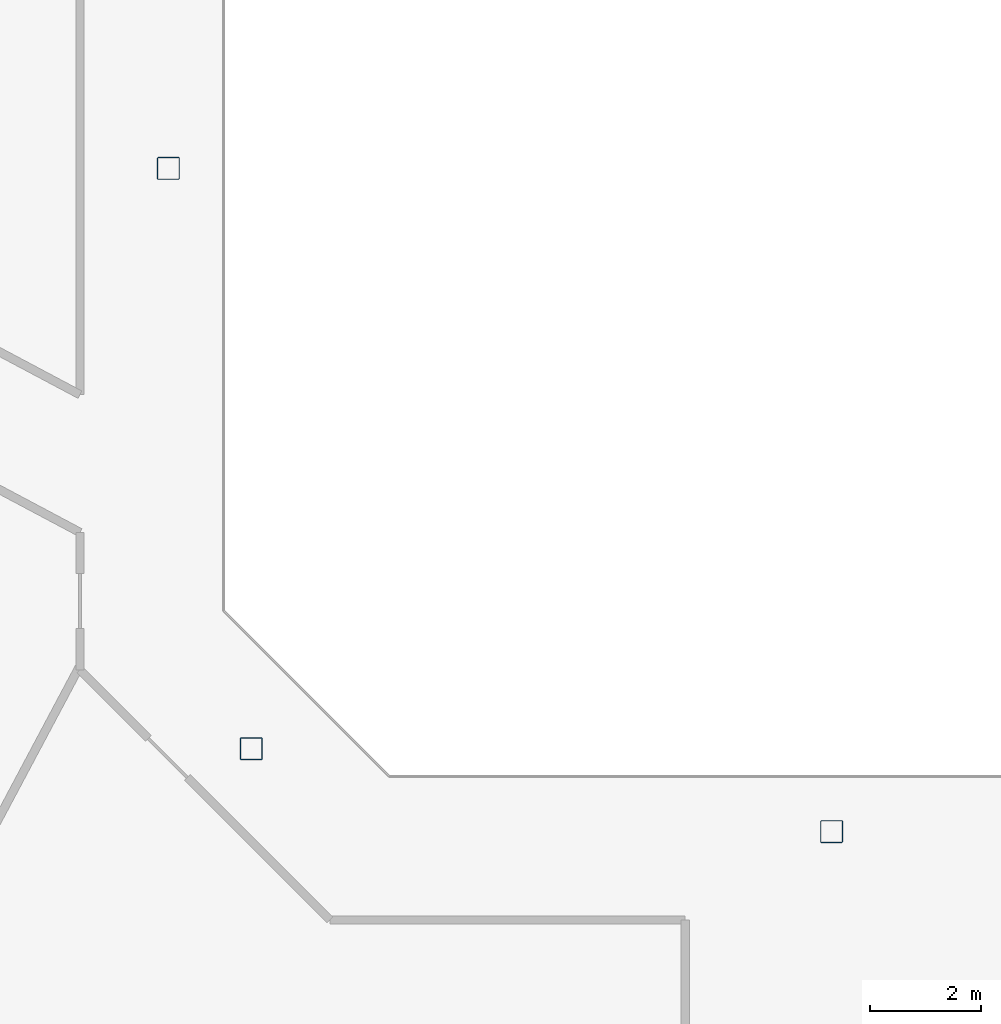
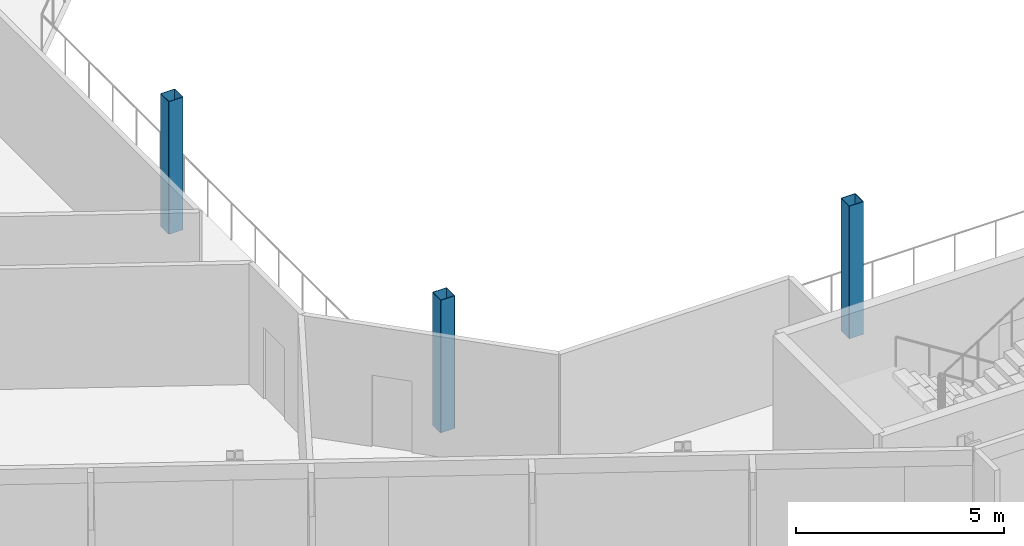
# One storey, part 2 of 27: 3 columns.
"""IFC4 building model written with IfcOpenShell, lengths in metres."""

import ifcopenshell
import ifcopenshell.guid

model = None  # the IFC model being written
_history = None  # IfcOwnerHistory: only IFC2X3 demands one
_inside = {}  # id of a spatial element -> (the spatial element, [elements in it])
_under = {}  # id of a project, library or spatial element -> (it, [spatial elements below it])
_declared = {}  # id of a project -> (the project, [libraries it declares])
_typed = {}  # id of a type object -> (the type object, [elements of that type])
_made_of = {}  # id of a material, layer set ... -> (it, [elements and type objects made of it])


def new_model(schema):
    """Start an empty IFC model of exactly this schema.

    Asked for "IFC4X3", IfcOpenShell would pick the latest addendum, in which some entities
    have other attributes; the version numbers below select the first issue.
    IFC2X3 requires an IfcOwnerHistory on every rooted entity: one is made here for all.
    """
    global model, _history
    if schema == "IFC4X3":
        model = ifcopenshell.file(schema_version=(4, 3, 0, 0))
    else:
        model = ifcopenshell.file(schema=schema)
    _inside.clear()
    _under.clear()
    _declared.clear()
    _typed.clear()
    _made_of.clear()
    _history = None
    if model.schema == "IFC2X3":
        org = make("IfcOrganization", Name="unknown")
        user = make(
            "IfcPersonAndOrganization",
            ThePerson=make("IfcPerson", FamilyName="unknown"),
            TheOrganization=org,
        )
        app = make(
            "IfcApplication",
            ApplicationDeveloper=org,
            Version="unknown",
            ApplicationFullName="unknown",
            ApplicationIdentifier="unknown",
        )
        _history = make(
            "IfcOwnerHistory",
            OwningUser=user,
            OwningApplication=app,
            ChangeAction="ADDED",
            CreationDate=0,
        )
    return model


def make(cls, **values):
    """One entity of the class cls with the attributes given. An attribute that is None is left unset."""
    return model.create_entity(
        cls, **{name: value for name, value in values.items() if value is not None}
    )


def rooted(cls, **values):
    """An entity with a GlobalId (a new one), such as an element, a storey or a relation."""
    return make(cls, GlobalId=ifcopenshell.guid.new(), OwnerHistory=_history, **values)


def si_unit(unit_type, name, prefix=None):
    """IfcSIUnit, for example si_unit("LENGTHUNIT", "METRE", prefix="MILLI")."""
    return make("IfcSIUnit", UnitType=unit_type, Prefix=prefix, Name=name)


def assignment(units):
    """IfcUnitAssignment: the units of a project."""
    return None if units is None else make("IfcUnitAssignment", Units=units)


def point(xyz):
    """IfcCartesianPoint."""
    return None if xyz is None else make("IfcCartesianPoint", Coordinates=xyz)


def direction(xyz):
    """IfcDirection."""
    return None if xyz is None else make("IfcDirection", DirectionRatios=xyz)


def frame(location, z_axis=None, x_axis=None):
    """IfcAxis2Placement3D, a coordinate frame: its origin and axes. An axis left out is left unset."""
    return make(
        "IfcAxis2Placement3D",
        Location=point(location),
        Axis=direction(z_axis),
        RefDirection=direction(x_axis),
    )


def frame_2d(location, x_axis=None):
    """IfcAxis2Placement2D, a coordinate frame in the plane: its origin and x axis."""
    return make(
        "IfcAxis2Placement2D", Location=point(location), RefDirection=direction(x_axis)
    )


def origin():
    """The frame at (0, 0, 0) with its axes left unset."""
    return frame((0.0, 0.0, 0.0))


def origin_2d():
    """The frame at (0, 0) in the plane with its x axis left unset."""
    return frame_2d((0.0, 0.0))


def place(relative_to, where):
    """IfcLocalPlacement: puts the frame where relative to a parent placement (None: the world)."""
    return make(
        "IfcLocalPlacement", PlacementRelTo=relative_to, RelativePlacement=where
    )


def context(
    kind, dimensions, precision=None, world=None, true_north=None, identifier=None
):
    """IfcGeometricRepresentationContext, for example the 3D "Model" context."""
    return make(
        "IfcGeometricRepresentationContext",
        ContextIdentifier=identifier,
        ContextType=kind,
        CoordinateSpaceDimension=dimensions,
        Precision=precision,
        WorldCoordinateSystem=world,
        TrueNorth=true_north,
    )


def subcontext(parent, identifier, kind, view, scale=None):
    """IfcGeometricRepresentationSubContext, for example "Body" below "Model"."""
    return make(
        "IfcGeometricRepresentationSubContext",
        ContextIdentifier=identifier,
        ContextType=kind,
        ParentContext=parent,
        TargetScale=scale,
        TargetView=view,
    )


def project(units=None, contexts=None):
    """IfcProject with its units and contexts."""
    return rooted(
        "IfcProject",
        Name="project",
        RepresentationContexts=contexts,
        UnitsInContext=assignment(units),
    )


def spatial(cls, under=None, at=None, **own):
    """A site, building, storey or space (cls), placed at a placement, below another one or the project."""
    s = rooted(cls, ObjectPlacement=at, **own)
    if under is not None:
        _under.setdefault(under.id(), (under, []))[1].append(s)
    return s


def profile(cls, at=None, kind="AREA", **sizes):
    """A parametric profile (cls). Its sizes go by their IFC names, for example OverallWidth=200.0."""
    return make(cls, ProfileType=kind, Position=at, **sizes)


def hollow_rectangle(**sizes):
    """IfcRectangleHollowProfileDef."""
    return profile("IfcRectangleHollowProfileDef", **sizes)


def extrude(swept, where, along, depth):
    """IfcExtrudedAreaSolid: the profile swept, set in the frame where, extruded along a direction by depth."""
    return make(
        "IfcExtrudedAreaSolid",
        SweptArea=swept,
        Position=where,
        ExtrudedDirection=direction(along),
        Depth=depth,
    )


def shape(context_of_items, identifier, shape_type, items):
    """IfcShapeRepresentation: the items that make up one representation, for example the "Body"."""
    return make(
        "IfcShapeRepresentation",
        ContextOfItems=context_of_items,
        RepresentationIdentifier=identifier,
        RepresentationType=shape_type,
        Items=items,
    )


def material(Name=None, Category=None):
    """IfcMaterial."""
    return make("IfcMaterial", Name=Name, Category=Category)


def material_profile(
    of_material, cross_section, Name=None, Category=None, Priority=None
):
    """IfcMaterialProfile: a cross section and its material."""
    return make(
        "IfcMaterialProfile",
        Name=Name,
        Material=of_material,
        Profile=cross_section,
        Priority=Priority,
        Category=Category,
    )


def profile_set(profiles, Name=None, composite=None):
    """IfcMaterialProfileSet."""
    return make(
        "IfcMaterialProfileSet",
        Name=Name,
        MaterialProfiles=profiles,
        CompositeProfile=composite,
    )


def made_of(thing, what):
    """Note that an element or type object is made of a material, layer set ...; save() writes the relation."""
    if what is not None:
        _made_of.setdefault(what.id(), (what, []))[1].append(thing)
    return thing


def type_object(cls, material=None, **own):
    """A type object (cls), such as IfcWallType, which elements share."""
    return made_of(rooted(cls, **own), material)


def element(
    cls,
    number,
    at=None,
    inside=None,
    cuts=None,
    type_object=None,
    material=None,
    context=None,
    identifier="Body",
    shape_type=None,
    held_by="IfcProductDefinitionShape",
    body=None,
    shapes=None,
    **own,
):
    """One element of the class cls, such as IfcWall. Its Tag is "e" and its number.

    at: its placement. inside: the storey or other place that contains it. cuts: it is an
    opening in that element (IfcRelVoidsElement). A single representation is given by context,
    identifier, shape_type and body (its items); several are given by shapes. held_by: the class
    of the entity that holds the representations. save() writes the other relations.
    """
    e = rooted(cls, Tag="e%d" % number, ObjectPlacement=at, **own)
    if body is not None:
        shapes = [shape(context, identifier, shape_type, body)]
    if shapes is not None:
        e.Representation = make(held_by, Representations=shapes)
    if inside is not None:
        _inside.setdefault(inside.id(), (inside, []))[1].append(e)
    if cuts is not None:
        rooted(
            "IfcRelVoidsElement", RelatingBuildingElement=cuts, RelatedOpeningElement=e
        )
    if type_object is not None:
        _typed.setdefault(type_object.id(), (type_object, []))[1].append(e)
    return made_of(e, material)


def aggregate(whole, parts):
    """IfcRelAggregates: a whole, such as a stair, and the parts it consists of."""
    return rooted("IfcRelAggregates", RelatingObject=whole, RelatedObjects=parts)


def save(model, path):
    """Write the relations noted so far, then the file.

    IfcRelAggregates (storeys below a building ...), IfcRelContainedInSpatialStructure (elements
    in a storey), IfcRelDefinesByType, IfcRelAssociatesMaterial and IfcRelDeclares: one each for
    every whole, place, type object, material and project.
    """
    for whole, parts in _under.values():
        aggregate(whole, parts)
    for where, things in _inside.values():
        rooted(
            "IfcRelContainedInSpatialStructure",
            RelatedElements=things,
            RelatingStructure=where,
        )
    for kind, things in _typed.values():
        rooted("IfcRelDefinesByType", RelatedObjects=things, RelatingType=kind)
    for what, things in _made_of.values():
        rooted("IfcRelAssociatesMaterial", RelatedObjects=things, RelatingMaterial=what)
    for by, libraries in _declared.values():
        rooted("IfcRelDeclares", RelatingContext=by, RelatedDefinitions=libraries)
    model.write(path)


model = new_model("IFC4")

# Units and contexts
model_context = context("Model", 3, precision=1e-05, world=origin(), true_north=direction((0.0, 1.0)))
body_context = subcontext(model_context, "Body", "Model", "MODEL_VIEW")
ifc_project = project(units=[si_unit("LENGTHUNIT", "METRE"), si_unit("AREAUNIT", "SQUARE_METRE"), si_unit("VOLUMEUNIT", "CUBIC_METRE"), si_unit("PLANEANGLEUNIT", "RADIAN"), si_unit("MASSUNIT", "GRAM", prefix="KILO")], contexts=[model_context])

# Site, building, storey
site_placement = place(None, origin())
site = spatial("IfcSite", under=ifc_project, at=site_placement, CompositionType="ELEMENT")
building_placement = place(site_placement, origin())
building = spatial("IfcBuilding", under=site, at=building_placement, Name="Cormorant Relay Tower", CompositionType="ELEMENT")
storey_placement = place(building_placement, frame((0.0, 0.0, 232.5)))
storey = spatial("IfcBuildingStorey", under=building, at=storey_placement, Name="L51", CompositionType="ELEMENT", Elevation=232.5)

# Columns
ifc_material = material(Name="Steel ASTM A500 Grade C (Fy 345 MPa)", Category="steel")
ifc_material_profile = material_profile(ifc_material, hollow_rectangle(XDim=0.406494140625, YDim=0.406494140625, WallThickness=0.0146484375, InnerFilletRadius=0.00732421875, OuterFilletRadius=0.022216796875, at=origin_2d()), Name="HSS406x406x15")
ifc_profile_set = profile_set([ifc_material_profile], Name="Steel ASTM A500 Grade C (Fy 345 MPa)")
column_type = type_object("IfcColumnType", Name="Column HSS406x406x15", PredefinedType="COLUMN", material=ifc_profile_set)
for number, where, z_axis, x_axis, name in (
    (1, (0.0, -12.0, 0.0), (0.0, 0.0, 1.0), (1.0, 0.0, 0.0), "Column L51-007"),
    (2, (-10.5, -10.5, 0.0), (0.0, 0.0, 1.0), (1.0, 0.0, 0.0), "Column L51-009"),
    (3, (-12.0, 0.0, 0.0), (0.0, 0.0, 1.0), (1.0, 0.0, 0.0), "Column L51-015"),
):
    element("IfcColumn", number, at=place(storey_placement, frame(where, z_axis=z_axis, x_axis=x_axis)), inside=storey, type_object=column_type, Name=name, PredefinedType="COLUMN", context=body_context, shape_type="SweptSolid", body=[
        extrude(hollow_rectangle(XDim=0.406494140625, YDim=0.406494140625, WallThickness=0.0146484375, InnerFilletRadius=0.00732421875, OuterFilletRadius=0.022216796875, at=origin_2d()), origin(), (0.0, 0.0, 1.0), 3.89990234375),
    ])

save(model, "model.ifc")
